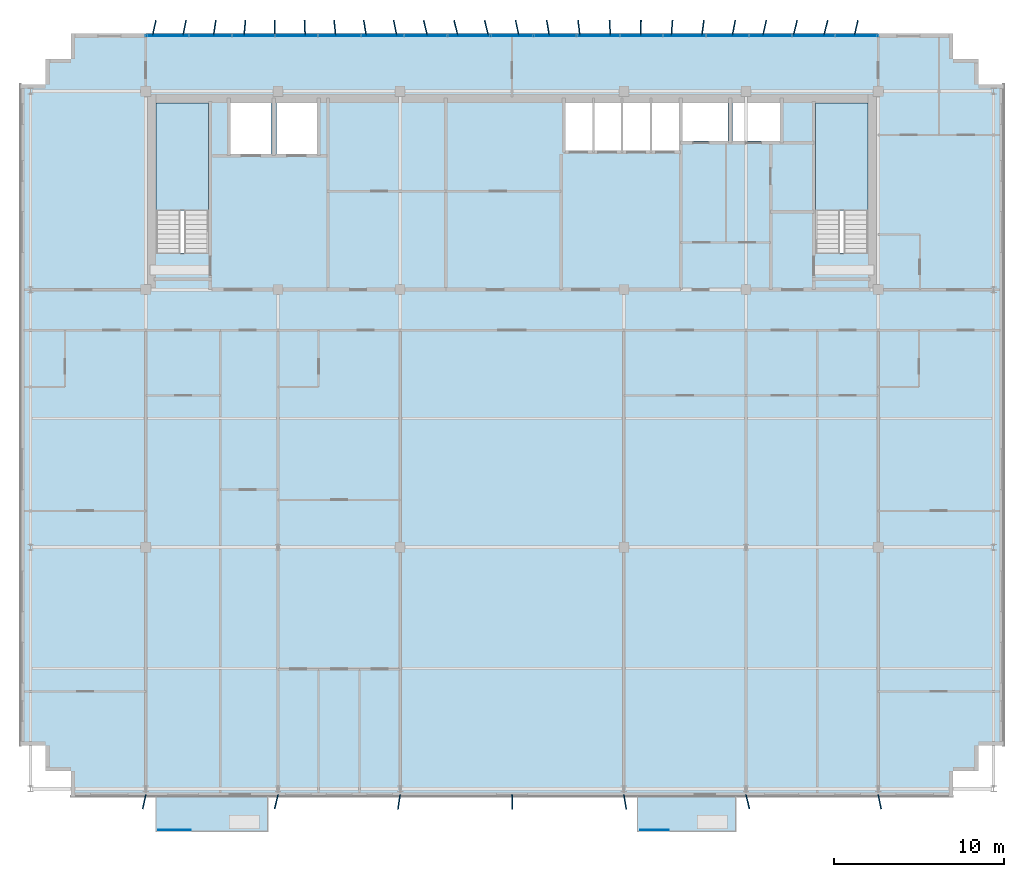
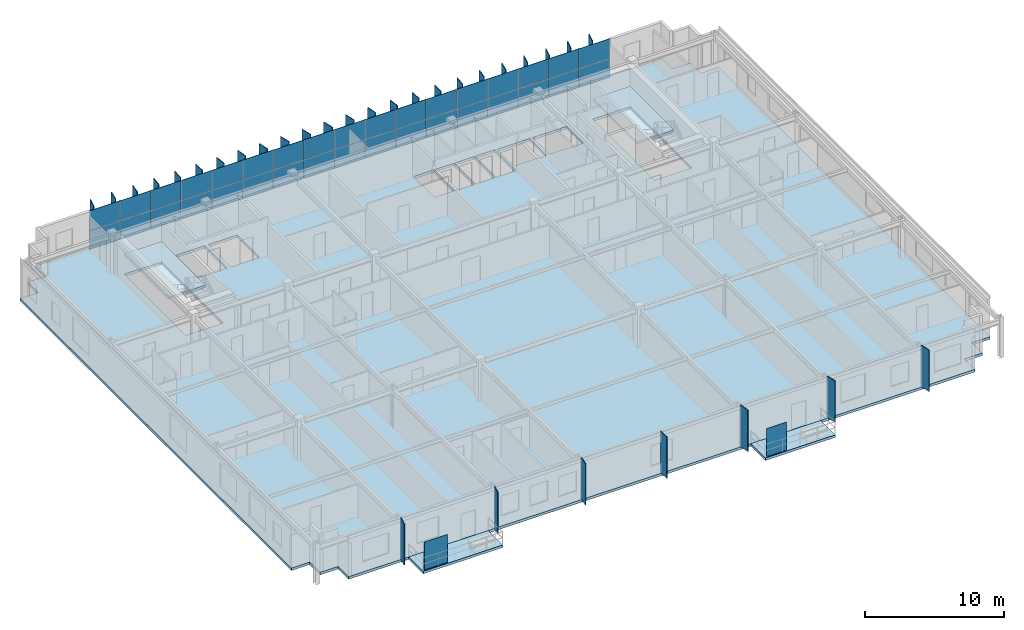
# One storey, part 15 of 22: 67 plates, 5 slabs, 3 elements without a shape of their own.
"""IFC4 building model written with IfcOpenShell, lengths in metres."""

from ifc_helpers import new_model, si_unit, direction, frame, origin, origin_2d, place, context, subcontext, project, spatial, polyline, rectangle, outline, extrude, source, transform, mapped, material, layer, layer_set, type_object, element, aggregate, save


model = new_model("IFC4")

# Units and contexts
model_context = context("Model", 3, precision=1e-05, world=origin(), true_north=direction((0.0, 1.0)))
body_context = subcontext(model_context, "Body", "Model", "MODEL_VIEW")
ifc_project = project(units=[si_unit("LENGTHUNIT", "METRE"), si_unit("AREAUNIT", "SQUARE_METRE"), si_unit("VOLUMEUNIT", "CUBIC_METRE"), si_unit("PLANEANGLEUNIT", "RADIAN"), si_unit("MASSUNIT", "GRAM", prefix="KILO")], contexts=[model_context])

# Site, building, storey
site_placement = place(None, origin())
site = spatial("IfcSite", under=ifc_project, at=site_placement, CompositionType="ELEMENT")
building_placement = place(site_placement, origin())
building = spatial("IfcBuilding", under=site, at=building_placement, Name="Trelvane Seafront Commons", CompositionType="ELEMENT")
storey_placement = place(building_placement, frame((0.0, 0.0, 273.89990234375)))
storey = spatial("IfcBuildingStorey", under=building, at=storey_placement, Name="L71", CompositionType="ELEMENT", Elevation=273.89990234375)

# Slabs
ifc_material_1 = material(Name="Concrete C40/50", Category="concrete")
ifc_layer_1 = layer(ifc_material_1, 0.219970703125, Name="ARCH-BALC-220")
ifc_layer_set_1 = layer_set([ifc_layer_1], Name="Concrete C40/50")
slab_type_1 = type_object("IfcSlabType", Name="ARCH-BALC-220", PredefinedType="FLOOR", material=ifc_layer_set_1)
slab_1_placement = place(storey_placement, frame((0.0, 0.0, -0.219970703125)))
element("IfcSlab", 1, at=slab_1_placement, inside=storey, type_object=slab_type_1, Name="L71 Cantilevered Tree Balcony Loggia 1", PredefinedType="FLOOR", context=body_context, shape_type="SweptSolid", body=[
    extrude(outline(polyline([(16.199951171875, 1.39990234375), (22.800048828125, 1.39990234375), (22.800048828125, 3.5), (16.199951171875, 3.5), (16.199951171875, 1.39990234375)])), origin(), (0.0, 0.0, 1.0), 0.219970703125),
])
slab_2_placement = place(storey_placement, frame((0.0, 0.0, -0.219970703125)))
element("IfcSlab", 2, at=slab_2_placement, inside=storey, type_object=slab_type_1, Name="L71 Cantilevered Tree Balcony Loggia 2", PredefinedType="FLOOR", context=body_context, shape_type="SweptSolid", body=[
    extrude(outline(polyline([(44.60009765625, 1.39990234375), (50.39990234375, 1.39990234375), (50.39990234375, 3.5), (44.60009765625, 3.5), (44.60009765625, 1.39990234375)])), origin(), (0.0, 0.0, 1.0), 0.219970703125),
])

# Stair, slab
stair_type_1 = type_object("IfcStairType", Name="ARCH-STR-ST-1-R20-180", PredefinedType="HALF_TURN_STAIR", material=ifc_material_1)
stair_1_placement = place(storey_placement, origin())
stair_1 = element("IfcStair", 3, at=stair_1_placement, inside=storey, type_object=stair_type_1, Name="L71 West Protected Firefighting Exit Stair ST-1", PredefinedType="HALF_TURN_STAIR")
ifc_layer_2 = layer(ifc_material_1, 0.199951171875, Name="ARCH-LND-200")
ifc_layer_set_2 = layer_set([ifc_layer_2], Name="Concrete C40/50")
slab_type_2 = type_object("IfcSlabType", Name="ARCH-LND-200", PredefinedType="LANDING", material=ifc_layer_set_2)
slab_3_placement = place(storey_placement, frame((0.0, 0.0, 1.60009765625)))
slab_3 = element("IfcSlab", 4, at=slab_3_placement, type_object=slab_type_2, Name="ST-1 landing 1", PredefinedType="LANDING", context=body_context, shape_type="SweptSolid", body=[
    extrude(outline(polyline([(19.300048828125, 38.070068359375), (19.300048828125, 44.39990234375), (16.199951171875, 44.39990234375), (16.199951171875, 38.070068359375), (19.300048828125, 38.070068359375)])), origin(), (0.0, 0.0, 1.0), 0.199951171875),
])
aggregate(stair_1, [slab_3])

stair_type_2 = type_object("IfcStairType", Name="ARCH-STR-ST-2-R20-180", PredefinedType="HALF_TURN_STAIR", material=ifc_material_1)
stair_2_placement = place(storey_placement, origin())
stair_2 = element("IfcStair", 5, at=stair_2_placement, inside=storey, type_object=stair_type_2, Name="L71 East Protected Firefighting Exit Stair ST-2", PredefinedType="HALF_TURN_STAIR")
slab_4_placement = place(storey_placement, frame((0.0, 0.0, 1.60009765625)))
slab_4 = element("IfcSlab", 6, at=slab_4_placement, type_object=slab_type_2, Name="ST-2 landing 1", PredefinedType="LANDING", context=body_context, shape_type="SweptSolid", body=[
    extrude(outline(polyline([(58.199951171875, 38.070068359375), (58.199951171875, 44.39990234375), (55.10009765625, 44.39990234375), (55.10009765625, 38.070068359375), (58.199951171875, 38.070068359375)])), origin(), (0.0, 0.0, 1.0), 0.199951171875),
])
aggregate(stair_2, [slab_4])

# Slab
ifc_material_2 = material(Name="Concrete C50/60", Category="concrete")
ifc_layer_3 = layer(ifc_material_2, 0.22998046875, Name="STR-SLB-Z5-230")
ifc_layer_set_3 = layer_set([ifc_layer_3], Name="Concrete C50/60")
slab_type_3 = type_object("IfcSlabType", Name="STR-SLB-Z5-230", PredefinedType="FLOOR", material=ifc_layer_set_3)
slab_5_placement = place(storey_placement, frame((0.0, 0.0, -0.22998046875)))
element("IfcSlab", 7, at=slab_5_placement, inside=storey, type_object=slab_type_3, Name="L71 Structural Floor Slab", PredefinedType="FLOOR", context=body_context, shape_type="SweptSolid", body=[
    extrude(outline(polyline([(11.199951171875, 3.5), (63.199951171875, 3.5), (63.199951171875, 5.0), (64.699951171875, 5.0), (64.699951171875, 6.5), (66.199951171875, 6.5), (66.199951171875, 45.5), (64.699951171875, 45.5), (64.699951171875, 47.0), (63.199951171875, 47.0), (63.199951171875, 48.5), (11.199951171875, 48.5), (11.199951171875, 47.0), (9.699951171875, 47.0), (9.699951171875, 45.5), (8.199951171875, 45.5), (8.199951171875, 6.5), (9.699951171875, 6.5), (9.699951171875, 5.0), (11.199951171875, 5.0), (11.199951171875, 3.5)]), holes=[polyline([(19.300048828125, 35.550048828125), (16.199951171875, 35.550048828125), (16.199951171875, 44.39990234375), (19.300048828125, 44.39990234375), (19.300048828125, 35.550048828125)]), polyline([(58.199951171875, 35.550048828125), (55.10009765625, 35.550048828125), (55.10009765625, 44.39990234375), (58.199951171875, 44.39990234375), (58.199951171875, 35.550048828125)]), polyline([(23.0, 41.39990234375), (20.60009765625, 41.39990234375), (20.60009765625, 44.60009765625), (23.0, 44.60009765625), (23.0, 41.39990234375)]), polyline([(23.300048828125, 41.39990234375), (23.300048828125, 44.60009765625), (25.699951171875, 44.60009765625), (25.699951171875, 41.39990234375), (23.300048828125, 41.39990234375)]), polyline([(40.35009765625, 41.60009765625), (40.35009765625, 44.60009765625), (41.969970703125, 44.60009765625), (41.969970703125, 41.60009765625), (40.35009765625, 41.60009765625)]), polyline([(43.669921875, 41.60009765625), (42.050048828125, 41.60009765625), (42.050048828125, 44.60009765625), (43.669921875, 44.60009765625), (43.669921875, 41.60009765625)]), polyline([(45.3701171875, 41.60009765625), (43.75, 41.60009765625), (43.75, 44.60009765625), (45.3701171875, 44.60009765625), (45.3701171875, 41.60009765625)]), polyline([(47.070068359375, 41.60009765625), (45.449951171875, 41.60009765625), (45.449951171875, 44.60009765625), (47.070068359375, 44.60009765625), (47.070068359375, 41.60009765625)]), polyline([(47.25, 42.14990234375), (47.25, 44.550048828125), (49.949951171875, 44.550048828125), (49.949951171875, 42.14990234375), (47.25, 42.14990234375)]), polyline([(50.199951171875, 42.14990234375), (50.199951171875, 44.550048828125), (53.0, 44.550048828125), (53.0, 42.14990234375), (50.199951171875, 42.14990234375)])]), origin(), (0.0, 0.0, 1.0), 0.22998046875),
])

# Plates
ifc_material_3 = material(Name="Perforated anodised aluminium screen", Category="aluminium")
ifc_layer_4 = layer(ifc_material_3, 0.01611328125, Name="ARCH-PLATE-SCREEN")
ifc_layer_set_4 = layer_set([ifc_layer_4], Name="Perforated anodised aluminium screen")
plate_type_1 = type_object("IfcPlateType", Name="ARCH-PLATE-SCREEN", PredefinedType="USERDEFINED", material=ifc_layer_set_4)
shared_shape_1 = source(origin(), body_context, "Body", "SweptSolid", [
    extrude(rectangle(XDim=1.9140625, YDim=0.01611328125, at=origin_2d()), origin(), (0.0, 0.0, 1.0), 2.449951171875),
])
plate_1_placement = place(storey_placement, frame((17.306884765625, 1.52001953125, 0.0), z_axis=(0.0, 0.0, 1.0), x_axis=(1.0, 0.0, 0.0)))
element("IfcPlate", 8, at=plate_1_placement, inside=storey, type_object=plate_type_1, Name="SCR-L71-00246", ObjectType="SCREEN", PredefinedType="USERDEFINED", context=body_context, shape_type="MappedRepresentation", body=[
    mapped(shared_shape_1, transform((0.0, 0.0, 0.0), x_axis=(1.0, 0.0, 0.0), y_axis=(0.0, 1.0, 0.0), z_axis=(0.0, 0.0, 1.0), scale=1.0)),
])
shared_shape_2 = source(origin(), body_context, "Body", "SweptSolid", [
    extrude(rectangle(XDim=1.681884765625, YDim=0.01611328125, at=origin_2d()), origin(), (0.0, 0.0, 1.0), 2.449951171875),
])
plate_2_placement = place(storey_placement, frame((45.591064453125, 1.52001953125, 0.0), z_axis=(0.0, 0.0, 1.0), x_axis=(1.0, 0.0, 0.0)))
element("IfcPlate", 9, at=plate_2_placement, inside=storey, type_object=plate_type_1, Name="SCR-L71-00247", ObjectType="SCREEN", PredefinedType="USERDEFINED", context=body_context, shape_type="MappedRepresentation", body=[
    mapped(shared_shape_2, transform((0.0, 0.0, 0.0), x_axis=(1.0, 0.0, 0.0), y_axis=(0.0, 1.0, 0.0), z_axis=(0.0, 0.0, 1.0), scale=1.0)),
])
ifc_material_4 = material(Name="Anodised pale-silver aluminium", Category="aluminium")
ifc_layer_5 = layer(ifc_material_4, 0.06005859375, Name="ARCH-PLATE-FIN900")
ifc_layer_set_5 = layer_set([ifc_layer_5], Name="Anodised pale-silver aluminium")
plate_type_2 = type_object("IfcPlateType", Name="ARCH-PLATE-FIN900", PredefinedType="USERDEFINED", material=ifc_layer_set_5)
shared_shape_3 = source(origin(), body_context, "Body", "SweptSolid", [
    extrude(rectangle(XDim=0.89990234375, YDim=0.06005859375, at=origin_2d()), origin(), (0.0, 0.0, 1.0), 3.639892578125),
])
for number, where, z_axis, x_axis, name in (
    (10, (16.10107421875, 48.83837890625, -0.02001953125), (0.0, 0.0, 1.0), (0.224665344453, 0.974435981993, 0.0), "FIN-L71-01973"),
    (11, (17.88671875, 48.841552734375, -0.02001953125), (0.0, 0.0, 1.0), (0.192439757268, 0.981308789231, 0.0), "FIN-L71-01974"),
    (12, (19.66552734375, 48.84521484375, -0.02001953125), (0.0, 0.0, 1.0), (0.14566690362, 0.989333691527, 0.0), "FIN-L71-01975"),
    (13, (21.439453125, 48.848388671875, -0.02001953125), (0.0, 0.0, 1.0), (0.087891183846, 0.996130081768, 0.0), "FIN-L71-01976"),
    (14, (23.21044921875, 48.849853515625, -0.02001953125), (0.0, 0.0, 1.0), (0.023221263598, 0.999730350103, 0.0), "FIN-L71-01977"),
    (15, (24.980712890625, 48.849609375, -0.02001953125), (0.0, 0.0, 1.0), (-0.0432200839, 0.999065575599, 0.0), "FIN-L71-01978"),
    (16, (26.752197265625, 48.847412109375, -0.02001953125), (0.0, 0.0, 1.0), (-0.106333488961, 0.994330523078, 0.0), "FIN-L71-01979"),
    (17, (28.527587890625, 48.843994140625, -0.02001953125), (0.0, 0.0, 1.0), (-0.161226606303, 0.986917413678, 0.0), "FIN-L71-01980"),
    (18, (30.308349609375, 48.840576171875, -0.02001953125), (0.0, 0.0, 1.0), (-0.203887805671, 0.97899426081, 0.0), "FIN-L71-01981"),
    (19, (32.095947265625, 48.837890625, -0.02001953125), (0.0, 0.0, 1.0), (-0.231330219854, 0.972875289738, 0.0), "FIN-L71-01982"),
    (20, (33.89111328125, 48.836669921875, -0.02001953125), (0.0, 0.0, 1.0), (-0.241881251735, 0.970305859025, 0.0), "FIN-L71-01983"),
    (21, (35.6943359375, 48.83740234375, -0.02001953125), (0.0, 0.0, 1.0), (-0.234789248087, 0.972046299814, 0.0), "FIN-L71-01984"),
    (22, (37.50537109375, 48.83984375, -0.02001953125), (0.0, 0.0, 1.0), (-0.21056048311, 0.977580831928, 0.0), "FIN-L71-01985"),
    (23, (39.3232421875, 48.843505859375, -0.02001953125), (0.0, 0.0, 1.0), (-0.17066524417, 0.98532906911, 0.0), "FIN-L71-01986"),
    (24, (41.14697265625, 48.846923828125, -0.02001953125), (0.0, 0.0, 1.0), (-0.11789270237, 0.993026339393, 0.0), "FIN-L71-01987"),
    (25, (42.974853515625, 48.849365234375, -0.02001953125), (0.0, 0.0, 1.0), (-0.056110775553, 0.998424549411, 0.0), "FIN-L71-01988"),
    (26, (44.804443359375, 48.85009765625, -0.02001953125), (0.0, 0.0, 1.0), (0.010110520095, 0.999948887385, 0.0), "FIN-L71-01989"),
    (27, (46.634033203125, 48.8486328125, -0.02001953125), (0.0, 0.0, 1.0), (0.075558272786, 0.997141387875, 0.0), "FIN-L71-01990"),
    (28, (50.282958984375, 48.84228515625, -0.02001953125), (0.0, 0.0, 1.0), (0.184220684397, 0.982884906508, 0.0), "FIN-L71-01992"),
    (29, (52.098876953125, 48.839111328125, -0.02001953125), (0.0, 0.0, 1.0), (0.21956526146, 0.975597814655, 0.0), "FIN-L71-01993"),
    (30, (53.907470703125, 48.8369140625, -0.02001953125), (0.0, 0.0, 1.0), (0.238769048477, 0.971076382933, 0.0), "FIN-L71-01994"),
    (31, (55.708251953125, 48.8369140625, -0.02001953125), (0.0, 0.0, 1.0), (0.240443202498, 0.970663209549, 0.0), "FIN-L71-01995"),
    (32, (57.501220703125, 48.83837890625, -0.02001953125), (0.0, 0.0, 1.0), (0.224665344453, 0.974435981993, 0.0), "FIN-L71-01996"),
):
    element("IfcPlate", number, at=place(storey_placement, frame(where, z_axis=z_axis, x_axis=x_axis)), inside=storey, type_object=plate_type_2, Name=name, ObjectType="FIN", PredefinedType="USERDEFINED", context=body_context, shape_type="MappedRepresentation", body=[
        mapped(shared_shape_3, transform((0.0, 0.0, 0.0), x_axis=(1.0, 0.0, 0.0), y_axis=(0.0, 1.0, 0.0), z_axis=(0.0, 0.0, 1.0), scale=1.0)),
    ])
shared_shape_4 = source(origin(), body_context, "Body", "SweptSolid", [
    extrude(rectangle(XDim=0.900146484375, YDim=0.06005859375, at=origin_2d()), origin(), (0.0, 0.0, 1.0), 3.639892578125),
])
plate_3_placement = place(storey_placement, frame((48.460693359375, 48.845947265625, -0.02001953125), z_axis=(0.0, 0.0, 1.0), x_axis=(0.135103416429, 0.990831502764, 0.0)))
element("IfcPlate", 33, at=plate_3_placement, inside=storey, type_object=plate_type_2, Name="FIN-L71-01991", ObjectType="FIN", PredefinedType="USERDEFINED", context=body_context, shape_type="MappedRepresentation", body=[
    mapped(shared_shape_4, transform((0.0, 0.0, 0.0), x_axis=(1.0, 0.0, 0.0), y_axis=(0.0, 1.0, 0.0), z_axis=(0.0, 0.0, 1.0), scale=1.0)),
])
shared_shape_5 = source(origin(), body_context, "Body", "SweptSolid", [
    extrude(rectangle(XDim=0.85009765625, YDim=0.06005859375, at=origin_2d()), origin(), (0.0, 0.0, 1.0), 3.639892578125),
])
for number, where, z_axis, x_axis, name in (
    (34, (15.509033203125, 3.184814453125, -0.02001953125), (0.0, 0.0, 1.0), (-0.214114804125, -0.97680850255, 0.0), "FIN-S-L71-01997"),
    (35, (23.299560546875, 3.18701171875, -0.02001953125), (0.0, 0.0, 1.0), (-0.236580395423, -0.971611916611, 0.0), "FIN-S-L71-01998"),
    (36, (30.53662109375, 3.1796875, -0.02001953125), (0.0, 0.0, 1.0), (-0.149059031413, -0.988828299127, 0.0), "FIN-S-L71-01999"),
    (37, (37.204345703125, 3.175048828125, -0.02001953125), (0.0, 0.0, 1.0), (0.010117501055, -0.999948816776, 0.0), "FIN-S-L71-02000"),
    (38, (43.869873046875, 3.1806640625, -0.02001953125), (0.0, 0.0, 1.0), (0.164226444245, -0.986422665499, 0.0), "FIN-S-L71-02001"),
    (39, (51.10205078125, 3.1875, -0.02001953125), (0.0, 0.0, 1.0), (0.239877323294, -0.97080320857, 0.0), "FIN-S-L71-02002"),
    (40, (58.88671875, 3.18408203125, -0.02001953125), (0.0, 0.0, 1.0), (0.20423123525, -0.978922674448, 0.0), "FIN-S-L71-02003"),
):
    element("IfcPlate", number, at=place(storey_placement, frame(where, z_axis=z_axis, x_axis=x_axis)), inside=storey, type_object=plate_type_2, Name=name, ObjectType="FIN", PredefinedType="USERDEFINED", context=body_context, shape_type="MappedRepresentation", body=[
        mapped(shared_shape_5, transform((0.0, 0.0, 0.0), x_axis=(1.0, 0.0, 0.0), y_axis=(0.0, 1.0, 0.0), z_axis=(0.0, 0.0, 1.0), scale=1.0)),
    ])

# Curtain wall, plates
curtain_wall_type = type_object("IfcCurtainWallType", Name="ARCH-CW5-UPTOWER", PredefinedType="NOTDEFINED", material=ifc_material_4)
curtain_wall_placement = place(storey_placement, origin())
curtain_wall = element("IfcCurtainWall", 41, at=curtain_wall_placement, inside=storey, type_object=curtain_wall_type, Name="CW-L71-0115", PredefinedType="NOTDEFINED")
ifc_material_5 = material(Name="Low-E coastal double glazing", Category="glass")
ifc_layer_6 = layer(ifc_material_5, 0.033935546875, Name="ARCH-CW-GLAZ-34")
ifc_layer_set_6 = layer_set([ifc_layer_6], Name="Low-E coastal double glazing")
plate_type_3 = type_object("IfcPlateType", Name="ARCH-CW-GLAZ-34", PredefinedType="CURTAIN_PANEL", material=ifc_layer_set_6)
shared_shape_6 = source(origin(), body_context, "Body", "SweptSolid", [
    extrude(rectangle(XDim=2.51708984375, YDim=0.033935546875, at=origin_2d()), origin(), (0.0, 0.0, 1.0), 1.60009765625),
])
plate_4_placement = place(storey_placement, frame((16.87060546875, 48.3701171875, 0.0), z_axis=(0.0, 0.0, 1.0), x_axis=(1.0, 0.0, 0.0)))
plate_4 = element("IfcPlate", 42, at=plate_4_placement, type_object=plate_type_3, Name="CW-L71-0115-P00-1", PredefinedType="CURTAIN_PANEL", context=body_context, shape_type="MappedRepresentation", body=[
    mapped(shared_shape_6, transform((0.0, 0.0, 0.0), x_axis=(1.0, 0.0, 0.0), y_axis=(0.0, 1.0, 0.0), z_axis=(0.0, 0.0, 1.0), scale=1.0)),
])
plate_5_placement = place(storey_placement, frame((19.411865234375, 48.3701171875, 0.0), z_axis=(0.0, 0.0, 1.0), x_axis=(1.0, 0.0, 0.0)))
plate_5 = element("IfcPlate", 43, at=plate_5_placement, type_object=plate_type_3, Name="CW-L71-0115-P01-1", PredefinedType="CURTAIN_PANEL", context=body_context, shape_type="MappedRepresentation", body=[
    mapped(shared_shape_6, transform((0.0, 0.0, 0.0), x_axis=(1.0, 0.0, 0.0), y_axis=(0.0, 1.0, 0.0), z_axis=(0.0, 0.0, 1.0), scale=1.0)),
])
plate_6_placement = place(storey_placement, frame((21.952880859375, 48.3701171875, 0.0), z_axis=(0.0, 0.0, 1.0), x_axis=(1.0, 0.0, 0.0)))
plate_6 = element("IfcPlate", 44, at=plate_6_placement, type_object=plate_type_3, Name="CW-L71-0115-P02-1", PredefinedType="CURTAIN_PANEL", context=body_context, shape_type="MappedRepresentation", body=[
    mapped(shared_shape_6, transform((0.0, 0.0, 0.0), x_axis=(1.0, 0.0, 0.0), y_axis=(0.0, 1.0, 0.0), z_axis=(0.0, 0.0, 1.0), scale=1.0)),
])
plate_7_placement = place(storey_placement, frame((24.494140625, 48.3701171875, 0.0), z_axis=(0.0, 0.0, 1.0), x_axis=(1.0, 0.0, 0.0)))
plate_7 = element("IfcPlate", 45, at=plate_7_placement, type_object=plate_type_3, Name="CW-L71-0115-P03-1", PredefinedType="CURTAIN_PANEL", context=body_context, shape_type="MappedRepresentation", body=[
    mapped(shared_shape_6, transform((0.0, 0.0, 0.0), x_axis=(1.0, 0.0, 0.0), y_axis=(0.0, 1.0, 0.0), z_axis=(0.0, 0.0, 1.0), scale=1.0)),
])
plate_8_placement = place(storey_placement, frame((27.035400390625, 48.3701171875, 0.0), z_axis=(0.0, 0.0, 1.0), x_axis=(1.0, 0.0, 0.0)))
plate_8 = element("IfcPlate", 46, at=plate_8_placement, type_object=plate_type_3, Name="CW-L71-0115-P04-1", PredefinedType="CURTAIN_PANEL", context=body_context, shape_type="MappedRepresentation", body=[
    mapped(shared_shape_6, transform((0.0, 0.0, 0.0), x_axis=(1.0, 0.0, 0.0), y_axis=(0.0, 1.0, 0.0), z_axis=(0.0, 0.0, 1.0), scale=1.0)),
])
plate_9_placement = place(storey_placement, frame((29.576416015625, 48.3701171875, 0.0), z_axis=(0.0, 0.0, 1.0), x_axis=(1.0, 0.0, 0.0)))
plate_9 = element("IfcPlate", 47, at=plate_9_placement, type_object=plate_type_3, Name="CW-L71-0115-P05-1", PredefinedType="CURTAIN_PANEL", context=body_context, shape_type="MappedRepresentation", body=[
    mapped(shared_shape_6, transform((0.0, 0.0, 0.0), x_axis=(1.0, 0.0, 0.0), y_axis=(0.0, 1.0, 0.0), z_axis=(0.0, 0.0, 1.0), scale=1.0)),
])
plate_10_placement = place(storey_placement, frame((32.11767578125, 48.3701171875, 0.0), z_axis=(0.0, 0.0, 1.0), x_axis=(1.0, 0.0, 0.0)))
plate_10 = element("IfcPlate", 48, at=plate_10_placement, type_object=plate_type_3, Name="CW-L71-0115-P06-1", PredefinedType="CURTAIN_PANEL", context=body_context, shape_type="MappedRepresentation", body=[
    mapped(shared_shape_6, transform((0.0, 0.0, 0.0), x_axis=(1.0, 0.0, 0.0), y_axis=(0.0, 1.0, 0.0), z_axis=(0.0, 0.0, 1.0), scale=1.0)),
])
plate_11_placement = place(storey_placement, frame((34.65869140625, 48.3701171875, 0.0), z_axis=(0.0, 0.0, 1.0), x_axis=(1.0, 0.0, 0.0)))
plate_11 = element("IfcPlate", 49, at=plate_11_placement, type_object=plate_type_3, Name="CW-L71-0115-P07-1", PredefinedType="CURTAIN_PANEL", context=body_context, shape_type="MappedRepresentation", body=[
    mapped(shared_shape_6, transform((0.0, 0.0, 0.0), x_axis=(1.0, 0.0, 0.0), y_axis=(0.0, 1.0, 0.0), z_axis=(0.0, 0.0, 1.0), scale=1.0)),
])
plate_12_placement = place(storey_placement, frame((37.199951171875, 48.3701171875, 0.0), z_axis=(0.0, 0.0, 1.0), x_axis=(1.0, 0.0, 0.0)))
plate_12 = element("IfcPlate", 50, at=plate_12_placement, type_object=plate_type_3, Name="CW-L71-0115-P08-1", PredefinedType="CURTAIN_PANEL", context=body_context, shape_type="MappedRepresentation", body=[
    mapped(shared_shape_6, transform((0.0, 0.0, 0.0), x_axis=(1.0, 0.0, 0.0), y_axis=(0.0, 1.0, 0.0), z_axis=(0.0, 0.0, 1.0), scale=1.0)),
])
plate_13_placement = place(storey_placement, frame((39.7412109375, 48.3701171875, 0.0), z_axis=(0.0, 0.0, 1.0), x_axis=(1.0, 0.0, 0.0)))
plate_13 = element("IfcPlate", 51, at=plate_13_placement, type_object=plate_type_3, Name="CW-L71-0115-P09-1", PredefinedType="CURTAIN_PANEL", context=body_context, shape_type="MappedRepresentation", body=[
    mapped(shared_shape_6, transform((0.0, 0.0, 0.0), x_axis=(1.0, 0.0, 0.0), y_axis=(0.0, 1.0, 0.0), z_axis=(0.0, 0.0, 1.0), scale=1.0)),
])
plate_14_placement = place(storey_placement, frame((42.282470703125, 48.3701171875, 0.0), z_axis=(0.0, 0.0, 1.0), x_axis=(1.0, 0.0, 0.0)))
plate_14 = element("IfcPlate", 52, at=plate_14_placement, type_object=plate_type_3, Name="CW-L71-0115-P10-1", PredefinedType="CURTAIN_PANEL", context=body_context, shape_type="MappedRepresentation", body=[
    mapped(shared_shape_6, transform((0.0, 0.0, 0.0), x_axis=(1.0, 0.0, 0.0), y_axis=(0.0, 1.0, 0.0), z_axis=(0.0, 0.0, 1.0), scale=1.0)),
])
plate_15_placement = place(storey_placement, frame((44.823486328125, 48.3701171875, 0.0), z_axis=(0.0, 0.0, 1.0), x_axis=(1.0, 0.0, 0.0)))
plate_15 = element("IfcPlate", 53, at=plate_15_placement, type_object=plate_type_3, Name="CW-L71-0115-P11-1", PredefinedType="CURTAIN_PANEL", context=body_context, shape_type="MappedRepresentation", body=[
    mapped(shared_shape_6, transform((0.0, 0.0, 0.0), x_axis=(1.0, 0.0, 0.0), y_axis=(0.0, 1.0, 0.0), z_axis=(0.0, 0.0, 1.0), scale=1.0)),
])
plate_16_placement = place(storey_placement, frame((47.36474609375, 48.3701171875, 0.0), z_axis=(0.0, 0.0, 1.0), x_axis=(1.0, 0.0, 0.0)))
plate_16 = element("IfcPlate", 54, at=plate_16_placement, type_object=plate_type_3, Name="CW-L71-0115-P12-1", PredefinedType="CURTAIN_PANEL", context=body_context, shape_type="MappedRepresentation", body=[
    mapped(shared_shape_6, transform((0.0, 0.0, 0.0), x_axis=(1.0, 0.0, 0.0), y_axis=(0.0, 1.0, 0.0), z_axis=(0.0, 0.0, 1.0), scale=1.0)),
])
plate_17_placement = place(storey_placement, frame((49.906005859375, 48.3701171875, 0.0), z_axis=(0.0, 0.0, 1.0), x_axis=(1.0, 0.0, 0.0)))
plate_17 = element("IfcPlate", 55, at=plate_17_placement, type_object=plate_type_3, Name="CW-L71-0115-P13-1", PredefinedType="CURTAIN_PANEL", context=body_context, shape_type="MappedRepresentation", body=[
    mapped(shared_shape_6, transform((0.0, 0.0, 0.0), x_axis=(1.0, 0.0, 0.0), y_axis=(0.0, 1.0, 0.0), z_axis=(0.0, 0.0, 1.0), scale=1.0)),
])
plate_18_placement = place(storey_placement, frame((52.447021484375, 48.3701171875, 0.0), z_axis=(0.0, 0.0, 1.0), x_axis=(1.0, 0.0, 0.0)))
plate_18 = element("IfcPlate", 56, at=plate_18_placement, type_object=plate_type_3, Name="CW-L71-0115-P14-1", PredefinedType="CURTAIN_PANEL", context=body_context, shape_type="MappedRepresentation", body=[
    mapped(shared_shape_6, transform((0.0, 0.0, 0.0), x_axis=(1.0, 0.0, 0.0), y_axis=(0.0, 1.0, 0.0), z_axis=(0.0, 0.0, 1.0), scale=1.0)),
])
plate_19_placement = place(storey_placement, frame((54.98828125, 48.3701171875, 0.0), z_axis=(0.0, 0.0, 1.0), x_axis=(1.0, 0.0, 0.0)))
plate_19 = element("IfcPlate", 57, at=plate_19_placement, type_object=plate_type_3, Name="CW-L71-0115-P15-1", PredefinedType="CURTAIN_PANEL", context=body_context, shape_type="MappedRepresentation", body=[
    mapped(shared_shape_6, transform((0.0, 0.0, 0.0), x_axis=(1.0, 0.0, 0.0), y_axis=(0.0, 1.0, 0.0), z_axis=(0.0, 0.0, 1.0), scale=1.0)),
])
plate_20_placement = place(storey_placement, frame((57.529296875, 48.3701171875, 0.0), z_axis=(0.0, 0.0, 1.0), x_axis=(1.0, 0.0, 0.0)))
plate_20 = element("IfcPlate", 58, at=plate_20_placement, type_object=plate_type_3, Name="CW-L71-0115-P16-1", PredefinedType="CURTAIN_PANEL", context=body_context, shape_type="MappedRepresentation", body=[
    mapped(shared_shape_6, transform((0.0, 0.0, 0.0), x_axis=(1.0, 0.0, 0.0), y_axis=(0.0, 1.0, 0.0), z_axis=(0.0, 0.0, 1.0), scale=1.0)),
])
shared_shape_7 = source(origin(), body_context, "Body", "SweptSolid", [
    extrude(rectangle(XDim=2.51708984375, YDim=0.033935546875, at=origin_2d()), origin(), (0.0, 0.0, 1.0), 1.73388671875),
])
plate_21_placement = place(storey_placement, frame((16.87060546875, 48.3701171875, 1.63623046875), z_axis=(0.0, 0.0, 1.0), x_axis=(1.0, 0.0, 0.0)))
plate_21 = element("IfcPlate", 59, at=plate_21_placement, type_object=plate_type_3, Name="CW-L71-0115-P00-2", PredefinedType="CURTAIN_PANEL", context=body_context, shape_type="MappedRepresentation", body=[
    mapped(shared_shape_7, transform((0.0, 0.0, 0.0), x_axis=(1.0, 0.0, 0.0), y_axis=(0.0, 1.0, 0.0), z_axis=(0.0, 0.0, 1.0), scale=1.0)),
])
plate_22_placement = place(storey_placement, frame((19.411865234375, 48.3701171875, 1.63623046875), z_axis=(0.0, 0.0, 1.0), x_axis=(1.0, 0.0, 0.0)))
plate_22 = element("IfcPlate", 60, at=plate_22_placement, type_object=plate_type_3, Name="CW-L71-0115-P01-2", PredefinedType="CURTAIN_PANEL", context=body_context, shape_type="MappedRepresentation", body=[
    mapped(shared_shape_7, transform((0.0, 0.0, 0.0), x_axis=(1.0, 0.0, 0.0), y_axis=(0.0, 1.0, 0.0), z_axis=(0.0, 0.0, 1.0), scale=1.0)),
])
plate_23_placement = place(storey_placement, frame((21.952880859375, 48.3701171875, 1.63623046875), z_axis=(0.0, 0.0, 1.0), x_axis=(1.0, 0.0, 0.0)))
plate_23 = element("IfcPlate", 61, at=plate_23_placement, type_object=plate_type_3, Name="CW-L71-0115-P02-2", PredefinedType="CURTAIN_PANEL", context=body_context, shape_type="MappedRepresentation", body=[
    mapped(shared_shape_7, transform((0.0, 0.0, 0.0), x_axis=(1.0, 0.0, 0.0), y_axis=(0.0, 1.0, 0.0), z_axis=(0.0, 0.0, 1.0), scale=1.0)),
])
plate_24_placement = place(storey_placement, frame((24.494140625, 48.3701171875, 1.63623046875), z_axis=(0.0, 0.0, 1.0), x_axis=(1.0, 0.0, 0.0)))
plate_24 = element("IfcPlate", 62, at=plate_24_placement, type_object=plate_type_3, Name="CW-L71-0115-P03-2", PredefinedType="CURTAIN_PANEL", context=body_context, shape_type="MappedRepresentation", body=[
    mapped(shared_shape_7, transform((0.0, 0.0, 0.0), x_axis=(1.0, 0.0, 0.0), y_axis=(0.0, 1.0, 0.0), z_axis=(0.0, 0.0, 1.0), scale=1.0)),
])
plate_25_placement = place(storey_placement, frame((27.035400390625, 48.3701171875, 1.63623046875), z_axis=(0.0, 0.0, 1.0), x_axis=(1.0, 0.0, 0.0)))
plate_25 = element("IfcPlate", 63, at=plate_25_placement, type_object=plate_type_3, Name="CW-L71-0115-P04-2", PredefinedType="CURTAIN_PANEL", context=body_context, shape_type="MappedRepresentation", body=[
    mapped(shared_shape_7, transform((0.0, 0.0, 0.0), x_axis=(1.0, 0.0, 0.0), y_axis=(0.0, 1.0, 0.0), z_axis=(0.0, 0.0, 1.0), scale=1.0)),
])
plate_26_placement = place(storey_placement, frame((29.576416015625, 48.3701171875, 1.63623046875), z_axis=(0.0, 0.0, 1.0), x_axis=(1.0, 0.0, 0.0)))
plate_26 = element("IfcPlate", 64, at=plate_26_placement, type_object=plate_type_3, Name="CW-L71-0115-P05-2", PredefinedType="CURTAIN_PANEL", context=body_context, shape_type="MappedRepresentation", body=[
    mapped(shared_shape_7, transform((0.0, 0.0, 0.0), x_axis=(1.0, 0.0, 0.0), y_axis=(0.0, 1.0, 0.0), z_axis=(0.0, 0.0, 1.0), scale=1.0)),
])
plate_27_placement = place(storey_placement, frame((32.11767578125, 48.3701171875, 1.63623046875), z_axis=(0.0, 0.0, 1.0), x_axis=(1.0, 0.0, 0.0)))
plate_27 = element("IfcPlate", 65, at=plate_27_placement, type_object=plate_type_3, Name="CW-L71-0115-P06-2", PredefinedType="CURTAIN_PANEL", context=body_context, shape_type="MappedRepresentation", body=[
    mapped(shared_shape_7, transform((0.0, 0.0, 0.0), x_axis=(1.0, 0.0, 0.0), y_axis=(0.0, 1.0, 0.0), z_axis=(0.0, 0.0, 1.0), scale=1.0)),
])
plate_28_placement = place(storey_placement, frame((34.65869140625, 48.3701171875, 1.63623046875), z_axis=(0.0, 0.0, 1.0), x_axis=(1.0, 0.0, 0.0)))
plate_28 = element("IfcPlate", 66, at=plate_28_placement, type_object=plate_type_3, Name="CW-L71-0115-P07-2", PredefinedType="CURTAIN_PANEL", context=body_context, shape_type="MappedRepresentation", body=[
    mapped(shared_shape_7, transform((0.0, 0.0, 0.0), x_axis=(1.0, 0.0, 0.0), y_axis=(0.0, 1.0, 0.0), z_axis=(0.0, 0.0, 1.0), scale=1.0)),
])
plate_29_placement = place(storey_placement, frame((37.199951171875, 48.3701171875, 1.63623046875), z_axis=(0.0, 0.0, 1.0), x_axis=(1.0, 0.0, 0.0)))
plate_29 = element("IfcPlate", 67, at=plate_29_placement, type_object=plate_type_3, Name="CW-L71-0115-P08-2", PredefinedType="CURTAIN_PANEL", context=body_context, shape_type="MappedRepresentation", body=[
    mapped(shared_shape_7, transform((0.0, 0.0, 0.0), x_axis=(1.0, 0.0, 0.0), y_axis=(0.0, 1.0, 0.0), z_axis=(0.0, 0.0, 1.0), scale=1.0)),
])
plate_30_placement = place(storey_placement, frame((39.7412109375, 48.3701171875, 1.63623046875), z_axis=(0.0, 0.0, 1.0), x_axis=(1.0, 0.0, 0.0)))
plate_30 = element("IfcPlate", 68, at=plate_30_placement, type_object=plate_type_3, Name="CW-L71-0115-P09-2", PredefinedType="CURTAIN_PANEL", context=body_context, shape_type="MappedRepresentation", body=[
    mapped(shared_shape_7, transform((0.0, 0.0, 0.0), x_axis=(1.0, 0.0, 0.0), y_axis=(0.0, 1.0, 0.0), z_axis=(0.0, 0.0, 1.0), scale=1.0)),
])
plate_31_placement = place(storey_placement, frame((42.282470703125, 48.3701171875, 1.63623046875), z_axis=(0.0, 0.0, 1.0), x_axis=(1.0, 0.0, 0.0)))
plate_31 = element("IfcPlate", 69, at=plate_31_placement, type_object=plate_type_3, Name="CW-L71-0115-P10-2", PredefinedType="CURTAIN_PANEL", context=body_context, shape_type="MappedRepresentation", body=[
    mapped(shared_shape_7, transform((0.0, 0.0, 0.0), x_axis=(1.0, 0.0, 0.0), y_axis=(0.0, 1.0, 0.0), z_axis=(0.0, 0.0, 1.0), scale=1.0)),
])
plate_32_placement = place(storey_placement, frame((44.823486328125, 48.3701171875, 1.63623046875), z_axis=(0.0, 0.0, 1.0), x_axis=(1.0, 0.0, 0.0)))
plate_32 = element("IfcPlate", 70, at=plate_32_placement, type_object=plate_type_3, Name="CW-L71-0115-P11-2", PredefinedType="CURTAIN_PANEL", context=body_context, shape_type="MappedRepresentation", body=[
    mapped(shared_shape_7, transform((0.0, 0.0, 0.0), x_axis=(1.0, 0.0, 0.0), y_axis=(0.0, 1.0, 0.0), z_axis=(0.0, 0.0, 1.0), scale=1.0)),
])
plate_33_placement = place(storey_placement, frame((47.36474609375, 48.3701171875, 1.63623046875), z_axis=(0.0, 0.0, 1.0), x_axis=(1.0, 0.0, 0.0)))
plate_33 = element("IfcPlate", 71, at=plate_33_placement, type_object=plate_type_3, Name="CW-L71-0115-P12-2", PredefinedType="CURTAIN_PANEL", context=body_context, shape_type="MappedRepresentation", body=[
    mapped(shared_shape_7, transform((0.0, 0.0, 0.0), x_axis=(1.0, 0.0, 0.0), y_axis=(0.0, 1.0, 0.0), z_axis=(0.0, 0.0, 1.0), scale=1.0)),
])
plate_34_placement = place(storey_placement, frame((49.906005859375, 48.3701171875, 1.63623046875), z_axis=(0.0, 0.0, 1.0), x_axis=(1.0, 0.0, 0.0)))
plate_34 = element("IfcPlate", 72, at=plate_34_placement, type_object=plate_type_3, Name="CW-L71-0115-P13-2", PredefinedType="CURTAIN_PANEL", context=body_context, shape_type="MappedRepresentation", body=[
    mapped(shared_shape_7, transform((0.0, 0.0, 0.0), x_axis=(1.0, 0.0, 0.0), y_axis=(0.0, 1.0, 0.0), z_axis=(0.0, 0.0, 1.0), scale=1.0)),
])
plate_35_placement = place(storey_placement, frame((52.447021484375, 48.3701171875, 1.63623046875), z_axis=(0.0, 0.0, 1.0), x_axis=(1.0, 0.0, 0.0)))
plate_35 = element("IfcPlate", 73, at=plate_35_placement, type_object=plate_type_3, Name="CW-L71-0115-P14-2", PredefinedType="CURTAIN_PANEL", context=body_context, shape_type="MappedRepresentation", body=[
    mapped(shared_shape_7, transform((0.0, 0.0, 0.0), x_axis=(1.0, 0.0, 0.0), y_axis=(0.0, 1.0, 0.0), z_axis=(0.0, 0.0, 1.0), scale=1.0)),
])
plate_36_placement = place(storey_placement, frame((54.98828125, 48.3701171875, 1.63623046875), z_axis=(0.0, 0.0, 1.0), x_axis=(1.0, 0.0, 0.0)))
plate_36 = element("IfcPlate", 74, at=plate_36_placement, type_object=plate_type_3, Name="CW-L71-0115-P15-2", PredefinedType="CURTAIN_PANEL", context=body_context, shape_type="MappedRepresentation", body=[
    mapped(shared_shape_7, transform((0.0, 0.0, 0.0), x_axis=(1.0, 0.0, 0.0), y_axis=(0.0, 1.0, 0.0), z_axis=(0.0, 0.0, 1.0), scale=1.0)),
])
plate_37_placement = place(storey_placement, frame((57.529296875, 48.3701171875, 1.63623046875), z_axis=(0.0, 0.0, 1.0), x_axis=(1.0, 0.0, 0.0)))
plate_37 = element("IfcPlate", 75, at=plate_37_placement, type_object=plate_type_3, Name="CW-L71-0115-P16-2", PredefinedType="CURTAIN_PANEL", context=body_context, shape_type="MappedRepresentation", body=[
    mapped(shared_shape_7, transform((0.0, 0.0, 0.0), x_axis=(1.0, 0.0, 0.0), y_axis=(0.0, 1.0, 0.0), z_axis=(0.0, 0.0, 1.0), scale=1.0)),
])
aggregate(curtain_wall, [plate_4, plate_21, plate_5, plate_22, plate_6, plate_23, plate_7, plate_24, plate_8, plate_25, plate_9, plate_26, plate_10, plate_27, plate_11, plate_28, plate_12, plate_29, plate_13, plate_30, plate_14, plate_31, plate_15, plate_32, plate_16, plate_33, plate_17, plate_34, plate_18, plate_35, plate_19, plate_36, plate_20, plate_37])

save(model, "model.ifc")
